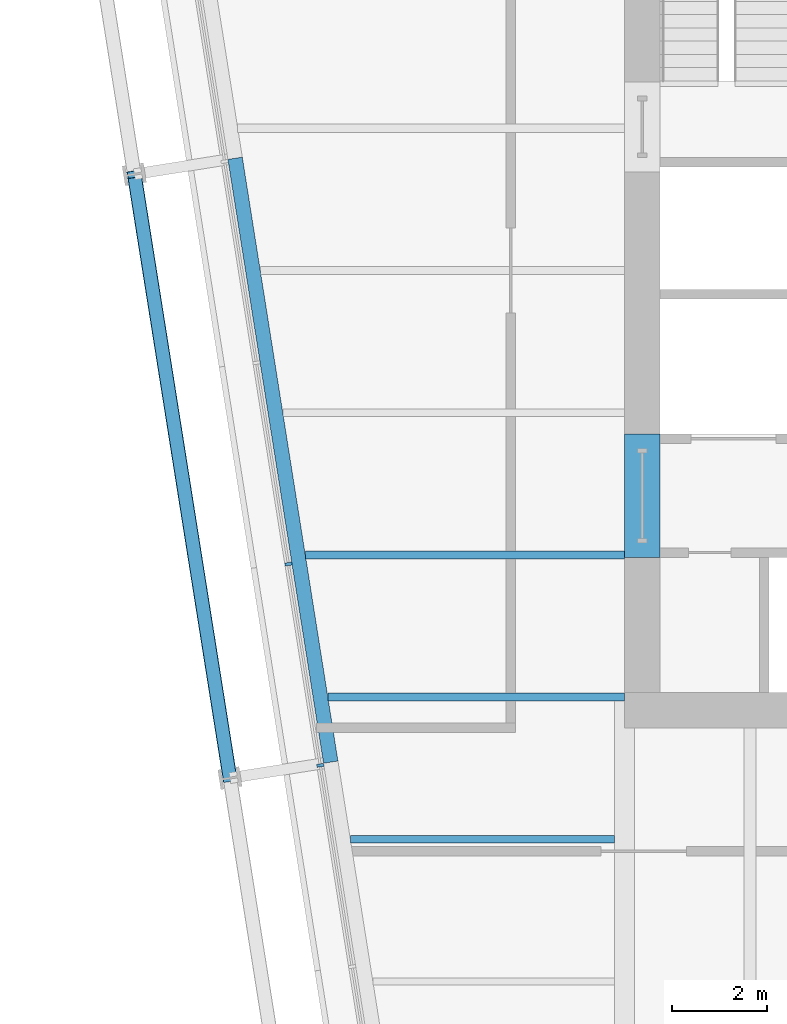
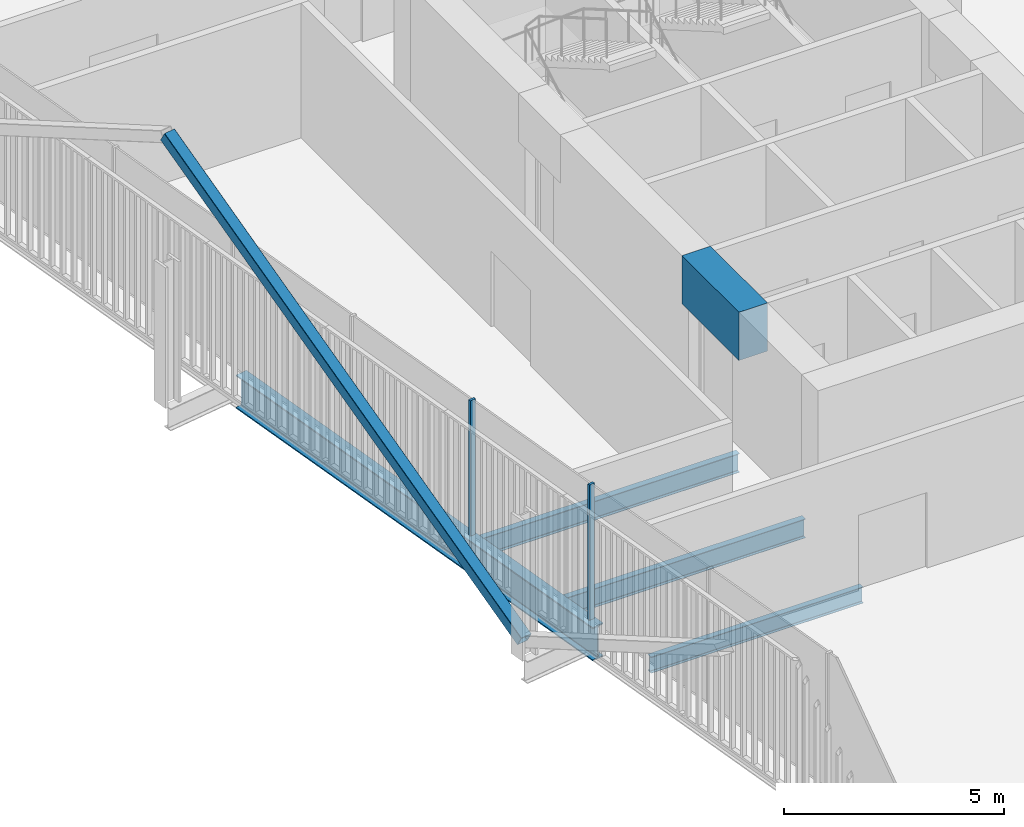
# One storey, part 4 of 22: 5 beams, 3 members, 1 element without a shape of its own.
"""IFC4 building model written with IfcOpenShell, lengths in metres."""

from ifc_helpers import new_model, si_unit, direction, frame, origin, origin_2d, place, context, subcontext, project, spatial, rectangle, hollow_rectangle, i_section, extrude, material, layer, layer_set, material_profile, profile_set, type_object, element, aggregate, save


model = new_model("IFC4")

# Units and contexts
model_context = context("Model", 3, precision=1e-05, world=origin(), true_north=direction((0.0, 1.0)))
body_context = subcontext(model_context, "Body", "Model", "MODEL_VIEW")
ifc_project = project(units=[si_unit("LENGTHUNIT", "METRE"), si_unit("AREAUNIT", "SQUARE_METRE"), si_unit("VOLUMEUNIT", "CUBIC_METRE"), si_unit("PLANEANGLEUNIT", "RADIAN"), si_unit("MASSUNIT", "GRAM", prefix="KILO")], contexts=[model_context])

# Site, building, storey
site_placement = place(None, origin())
site = spatial("IfcSite", under=ifc_project, at=site_placement, CompositionType="ELEMENT")
building_placement = place(site_placement, origin())
building = spatial("IfcBuilding", under=site, at=building_placement, Name="Millrace Tower", CompositionType="ELEMENT")
storey_placement = place(building_placement, frame((0.0, 0.0, 187.800048828125)))
storey = spatial("IfcBuildingStorey", under=building, at=storey_placement, Name="L42", CompositionType="ELEMENT", Elevation=187.800048828125)

# Curtain wall, members
ifc_material_1 = material(Name="Aluminium and glass", Category="aluminium")
ifc_layer = layer(ifc_material_1, 0.14990234375)
ifc_layer_set = layer_set([ifc_layer], Name="Aluminium and glass")
curtain_wall_type = type_object("IfcCurtainWallType", Name="CW-1 office vision curtain wall", PredefinedType="NOTDEFINED", material=ifc_layer_set)
curtain_wall_placement = place(storey_placement, origin())
curtain_wall = element("IfcCurtainWall", 1, at=curtain_wall_placement, inside=storey, type_object=curtain_wall_type, Name="Curtain wall C-F08 L42", PredefinedType="NOTDEFINED")
ifc_material_2 = material(Name="Aluminium", Category="aluminium")
ifc_material_profile_1 = material_profile(ifc_material_2, rectangle(XDim=0.06494140625, YDim=0.14990234375, at=origin_2d()))
ifc_profile_set_1 = profile_set([ifc_material_profile_1], Name="Aluminium")
member_type_1 = type_object("IfcMemberType", Name="CW-1 office vision curtain wall mullion", PredefinedType="MULLION", material=ifc_profile_set_1)
member_1_placement = place(storey_placement, frame((-21.743408203125, -6.193603515625, 0.139892578125), z_axis=(0.0, 0.0, 1.0), x_axis=(0.15643447328, -0.98768833929, 0.0)))
member_1 = element("IfcMember", 2, at=member_1_placement, type_object=member_type_1, Name="CW1 mullion C-F08.6", PredefinedType="MULLION", context=body_context, shape_type="SweptSolid", body=[
    extrude(rectangle(XDim=0.06494140625, YDim=0.14990234375, at=origin_2d()), origin(), (0.0, 0.0, 1.0), 3.760009765625),
])
member_2_placement = place(storey_placement, frame((-21.070556640625, -10.440673828125, 0.139892578125), z_axis=(0.0, 0.0, 1.0), x_axis=(0.15643447328, -0.98768833929, 0.0)))
member_2 = element("IfcMember", 3, at=member_2_placement, type_object=member_type_1, Name="CW1 mullion C-F08.7", PredefinedType="MULLION", context=body_context, shape_type="SweptSolid", body=[
    extrude(rectangle(XDim=0.06494140625, YDim=0.14990234375, at=origin_2d()), origin(), (0.0, 0.0, 1.0), 3.760009765625),
])
aggregate(curtain_wall, [member_1, member_2])

# Beam
ifc_material_3 = material(Name="Concrete C70", Category="concrete")
ifc_material_profile_2 = material_profile(ifc_material_3, rectangle(XDim=0.75, YDim=1.340087890625, at=origin_2d()))
ifc_profile_set_2 = profile_set([ifc_material_profile_2], Name="Concrete C70")
beam_type_1 = type_object("IfcBeamType", Name="Coupling beam 750 x 1340 Concrete C70, 2000 opening", PredefinedType="BEAM", material=ifc_profile_set_2)
beam_1_placement = place(storey_placement, frame((-14.27490234375, -6.050048828125, 3.070068359375), z_axis=(0.0, 1.0, 0.0), x_axis=(-1.0, 0.0, 0.0)))
element("IfcBeam", 4, at=beam_1_placement, inside=storey, type_object=beam_type_1, Name="Coupling beam W L42", PredefinedType="BEAM", context=body_context, shape_type="SweptSolid", body=[
    extrude(rectangle(XDim=0.75, YDim=1.340087890625, at=origin_2d()), origin(), (0.0, 0.0, 1.0), 2.60009765625),
])

# Member
ifc_material_4 = material(Name="Steel ASTM A500 Grade C", Category="steel")
ifc_material_profile_3 = material_profile(ifc_material_4, hollow_rectangle(XDim=0.3046875, YDim=0.3046875, WallThickness=0.0126953125, InnerFilletRadius=0.00634765625, OuterFilletRadius=0.01904296875, at=origin_2d()))
ifc_profile_set_3 = profile_set([ifc_material_profile_3], Name="Steel ASTM A500 Grade C")
member_type_2 = type_object("IfcMemberType", Name="Exoskeleton brace HSS12x12x1/2", PredefinedType="BRACE", material=ifc_profile_set_3)
member_3_placement = place(storey_placement, frame((-22.97705078125, -10.709716796875, 0.39990234375), z_axis=(-0.137499609887, 0.868113917345, 0.476940335673), x_axis=(-0.987687659758, -0.156438763615, 0.0)))
element("IfcMember", 5, at=member_3_placement, inside=storey, type_object=member_type_2, Name="BRC-C-L42-15", PredefinedType="BRACE", context=body_context, shape_type="SweptSolid", body=[
    extrude(hollow_rectangle(XDim=0.3046875, YDim=0.3046875, WallThickness=0.0126953125, InnerFilletRadius=0.00634765625, OuterFilletRadius=0.01904296875, at=origin_2d()), origin(), (0.0, 0.0, 1.0), 14.677001953125),
])

# Beams
ifc_material_5 = material(Name="Steel ASTM A992 Grade 50", Category="steel")
ifc_material_profile_4 = material_profile(ifc_material_5, i_section(OverallWidth=0.15234375, OverallDepth=0.449462890625, WebThickness=0.007568359375, FlangeThickness=0.0107421875, FilletRadius=0.01025390625, at=origin_2d()))
ifc_profile_set_4 = profile_set([ifc_material_profile_4], Name="Steel ASTM A992 Grade 50")
beam_type_2 = type_object("IfcBeamType", Name="Floor beam W18x35", PredefinedType="JOIST", material=ifc_profile_set_4)
beam_2_placement = place(storey_placement, frame((-20.4365234375, -12.0, -0.384765625), z_axis=(1.0, 0.0, 0.0), x_axis=(0.0, 1.0, 0.0)))
element("IfcBeam", 6, at=beam_2_placement, inside=storey, type_object=beam_type_2, Name="BM-C-L42-S1-S008", PredefinedType="JOIST", context=body_context, shape_type="SweptSolid", body=[
    extrude(i_section(OverallWidth=0.15234375, OverallDepth=0.449462890625, WebThickness=0.007568359375, FlangeThickness=0.0107421875, FilletRadius=0.01025390625, at=origin_2d()), origin(), (0.0, 0.0, 1.0), 5.576904296875),
])
ifc_material_6 = material(Name="Steel ASTM A992 Grade 50", Category="steel")
ifc_material_profile_5 = material_profile(ifc_material_6, i_section(OverallWidth=0.1650390625, OverallDepth=0.52587890625, WebThickness=0.0087890625, FlangeThickness=0.011474609375, FilletRadius=0.0126953125, at=origin_2d()))
ifc_profile_set_5 = profile_set([ifc_material_profile_5], Name="Steel ASTM A992 Grade 50")
beam_type_3 = type_object("IfcBeamType", Name="Floor beam W21x44", PredefinedType="JOIST", material=ifc_profile_set_5)
beam_3_placement = place(storey_placement, frame((-20.91162109375, -9.0, -0.4228515625), z_axis=(1.0, 0.0, 0.0), x_axis=(0.0, 1.0, 0.0)))
element("IfcBeam", 7, at=beam_3_placement, inside=storey, type_object=beam_type_3, Name="BM-C-L42-S1-S011", PredefinedType="JOIST", context=body_context, shape_type="SweptSolid", body=[
    extrude(i_section(OverallWidth=0.1650390625, OverallDepth=0.52587890625, WebThickness=0.0087890625, FlangeThickness=0.011474609375, FilletRadius=0.0126953125, at=origin_2d()), origin(), (0.0, 0.0, 1.0), 6.26171875),
])
beam_4_placement = place(storey_placement, frame((-21.386962890625, -6.0, -0.4228515625), z_axis=(1.0, 0.0, 0.0), x_axis=(0.0, 1.0, 0.0)))
element("IfcBeam", 8, at=beam_4_placement, inside=storey, type_object=beam_type_3, Name="BM-C-L42-S1-S014", PredefinedType="JOIST", context=body_context, shape_type="SweptSolid", body=[
    extrude(i_section(OverallWidth=0.1650390625, OverallDepth=0.52587890625, WebThickness=0.0087890625, FlangeThickness=0.011474609375, FilletRadius=0.0126953125, at=origin_2d()), origin(), (0.0, 0.0, 1.0), 6.737060546875),
])
ifc_material_7 = material(Name="Steel ASTM A992 Grade 50", Category="steel")
ifc_material_profile_6 = material_profile(ifc_material_7, i_section(OverallWidth=0.307373046875, OverallDepth=0.927001953125, WebThickness=0.01953125, FlangeThickness=0.031982421875, FilletRadius=0.01904296875, at=origin_2d()))
ifc_profile_set_6 = profile_set([ifc_material_profile_6], Name="Steel ASTM A992 Grade 50")
beam_type_4 = type_object("IfcBeamType", Name="Ring beam medium span W36x194", PredefinedType="SPANDREL", material=ifc_profile_set_6)
beam_5_placement = place(storey_placement, frame((-20.849853515625, -10.372802734375, -0.62353515625), z_axis=(-0.156438763615, 0.987687659758, 0.0), x_axis=(-0.987687659758, -0.156438763615, 0.0)))
element("IfcBeam", 9, at=beam_5_placement, inside=storey, type_object=beam_type_4, Name="RNG-C-L42-S1-02", PredefinedType="SPANDREL", context=body_context, shape_type="SweptSolid", body=[
    extrude(i_section(OverallWidth=0.307373046875, OverallDepth=0.927001953125, WebThickness=0.01953125, FlangeThickness=0.031982421875, FilletRadius=0.01904296875, at=origin_2d()), origin(), (0.0, 0.0, 1.0), 12.900146484375),
])

save(model, "model.ifc")
